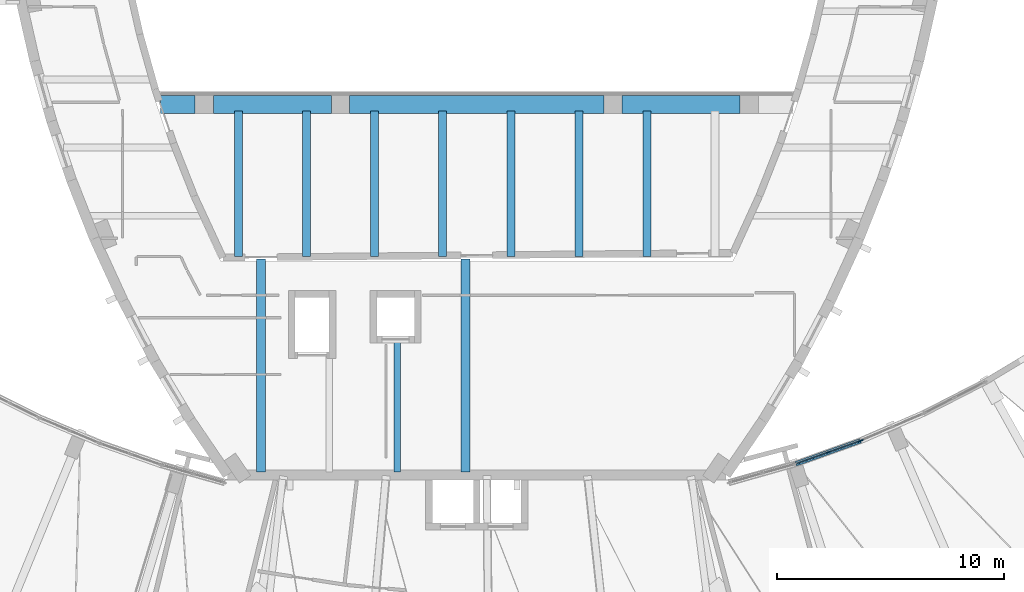
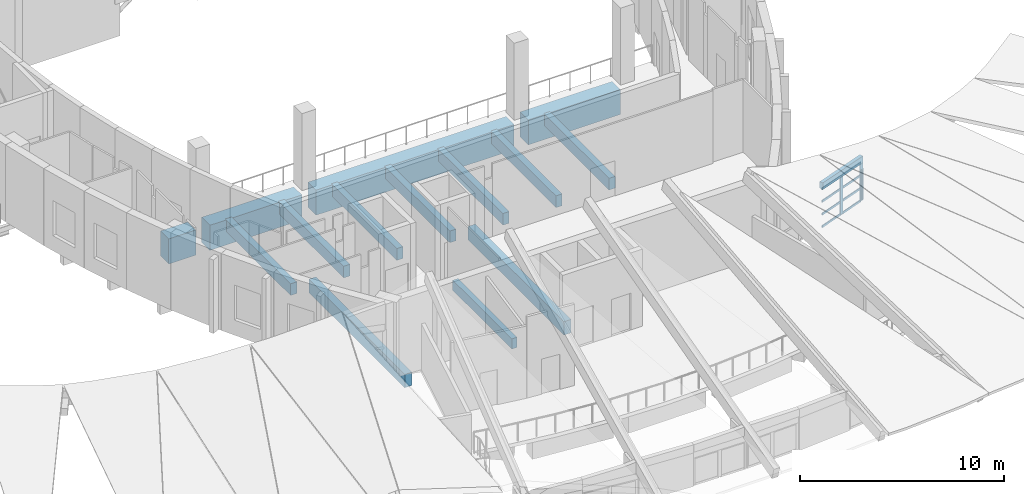
# One storey, part 15 of 56: 15 beams, 11 members, 2 elements without a shape of their own.
"""IFC4 building model written with IfcOpenShell, lengths in metres."""

from ifc_helpers import new_model, si_unit, direction, frame, origin, origin_2d, place, context, subcontext, project, spatial, rectangle, extrude, material, material_profile, profile_set, type_object, element, aggregate, save


model = new_model("IFC4")

# Units and contexts
model_context = context("Model", 3, precision=1e-05, world=origin(), true_north=direction((0.0, 1.0)))
body_context = subcontext(model_context, "Body", "Model", "MODEL_VIEW")
ifc_project = project(units=[si_unit("LENGTHUNIT", "METRE"), si_unit("AREAUNIT", "SQUARE_METRE"), si_unit("VOLUMEUNIT", "CUBIC_METRE"), si_unit("PLANEANGLEUNIT", "RADIAN"), si_unit("MASSUNIT", "GRAM", prefix="KILO")], contexts=[model_context])

# Site, building, storey
site_placement = place(None, origin())
site = spatial("IfcSite", under=ifc_project, at=site_placement, CompositionType="ELEMENT")
building_placement = place(site_placement, origin())
building = spatial("IfcBuilding", under=site, at=building_placement, Name="Tide Square Theatres", CompositionType="ELEMENT")
storey_placement = place(building_placement, frame((0.0, 0.0, 10.199951171875)))
storey = spatial("IfcBuildingStorey", under=building, at=storey_placement, Name="L02", CompositionType="ELEMENT", Elevation=10.199951171875)

# Curtain wall, member
ifc_material_1 = material(Name="Aluminium 6063-T5", Category="aluminium")
curtain_wall_type_1 = type_object("IfcCurtainWallType", Name="Stick system curtain wall 1800 high", PredefinedType="USERDEFINED", material=ifc_material_1)
curtain_wall_1_placement = place(storey_placement, origin())
curtain_wall_1 = element("IfcCurtainWall", 1, at=curtain_wall_1_placement, inside=storey, type_object=curtain_wall_type_1, Name="Foyer inner curtain wall", ObjectType="STICK SYSTEM", PredefinedType="USERDEFINED")
ifc_material_2 = material(Name="Aluminium 6063-T5", Category="aluminium")
ifc_material_profile_1 = material_profile(ifc_material_2, rectangle(XDim=0.050048828125, YDim=0.199951171875, at=origin_2d()))
ifc_profile_set_1 = profile_set([ifc_material_profile_1], Name="Aluminium 6063-T5")
member_type_1 = type_object("IfcMemberType", Name="Aluminium mullion 50 x 200", PredefinedType="MULLION", material=ifc_profile_set_1)
member_1_placement = place(storey_placement, frame((100.93017578125, 25.09521484375, 0.0), z_axis=(0.0, 0.0, 1.0), x_axis=(0.396980103276, -0.917827215549, 0.0)))
member_1 = element("IfcMember", 2, at=member_1_placement, type_object=member_type_1, Name="CW-08 mullion 3", PredefinedType="MULLION", context=body_context, shape_type="SweptSolid", body=[
    extrude(rectangle(XDim=0.050048828125, YDim=0.199951171875, at=origin_2d()), origin(), (0.0, 0.0, 1.0), 1.870361328125),
])
aggregate(curtain_wall_1, [member_1])

# Curtain wall, members
ifc_material_3 = material(Name="Aluminium 6063-T5", Category="aluminium")
curtain_wall_type_2 = type_object("IfcCurtainWallType", Name="Stick system curtain wall 2400 high", PredefinedType="USERDEFINED", material=ifc_material_3)
curtain_wall_2_placement = place(storey_placement, origin())
curtain_wall_2 = element("IfcCurtainWall", 3, at=curtain_wall_2_placement, inside=storey, type_object=curtain_wall_type_2, Name="Foyer inner curtain wall", ObjectType="STICK SYSTEM", PredefinedType="USERDEFINED")
member_2_placement = place(storey_placement, frame((100.8837890625, 25.076904296875, 0.0), z_axis=(0.0, 0.0, 1.0), x_axis=(0.335723260146, -0.941960664039, 0.0)))
member_2 = element("IfcMember", 4, at=member_2_placement, type_object=member_type_1, Name="CW-09 mullion 1", PredefinedType="MULLION", context=body_context, shape_type="SweptSolid", body=[
    extrude(rectangle(XDim=0.050048828125, YDim=0.199951171875, at=origin_2d()), origin(), (0.0, 0.0, 1.0), 2.30615234375),
])
member_3_placement = place(storey_placement, frame((99.4765625, 24.575439453125, 0.0), z_axis=(0.0, 0.0, 1.0), x_axis=(0.335723260146, -0.941960664039, 0.0)))
member_3 = element("IfcMember", 5, at=member_3_placement, type_object=member_type_1, Name="CW-09 mullion 2", PredefinedType="MULLION", context=body_context, shape_type="SweptSolid", body=[
    extrude(rectangle(XDim=0.050048828125, YDim=0.199951171875, at=origin_2d()), origin(), (0.0, 0.0, 1.0), 2.30615234375),
])
ifc_material_4 = material(Name="Aluminium 6063-T5", Category="aluminium")
ifc_material_profile_2 = material_profile(ifc_material_4, rectangle(XDim=0.050048828125, YDim=0.125, at=origin_2d()))
ifc_profile_set_2 = profile_set([ifc_material_profile_2], Name="Aluminium 6063-T5")
member_type_2 = type_object("IfcMemberType", Name="Aluminium transom 50 x 125", PredefinedType="USERDEFINED", material=ifc_profile_set_2)
member_4_placement = place(storey_placement, frame((100.860107421875, 25.068603515625, 0.025146484375), z_axis=(-0.941936843853, -0.3357900865, 0.0), x_axis=(0.3357900865, -0.941936843853, 0.0)))
member_4 = element("IfcMember", 6, at=member_4_placement, type_object=member_type_2, Name="CW-09 transom 1.1", ObjectType="TRANSOM", PredefinedType="USERDEFINED", context=body_context, shape_type="SweptSolid", body=[
    extrude(rectangle(XDim=0.050048828125, YDim=0.125, at=origin_2d()), origin(), (0.0, 0.0, 1.0), 1.44384765625),
])
member_5_placement = place(storey_placement, frame((100.860107421875, 25.068603515625, 0.768798828125), z_axis=(-0.941936843853, -0.3357900865, 0.0), x_axis=(0.3357900865, -0.941936843853, 0.0)))
member_5 = element("IfcMember", 7, at=member_5_placement, type_object=member_type_2, Name="CW-09 transom 1.2", ObjectType="TRANSOM", PredefinedType="USERDEFINED", context=body_context, shape_type="SweptSolid", body=[
    extrude(rectangle(XDim=0.050048828125, YDim=0.125, at=origin_2d()), origin(), (0.0, 0.0, 1.0), 1.44384765625),
])
member_6_placement = place(storey_placement, frame((100.860107421875, 25.068603515625, 1.537353515625), z_axis=(-0.941936843853, -0.3357900865, 0.0), x_axis=(0.3357900865, -0.941936843853, 0.0)))
member_6 = element("IfcMember", 8, at=member_6_placement, type_object=member_type_2, Name="CW-09 transom 1.3", ObjectType="TRANSOM", PredefinedType="USERDEFINED", context=body_context, shape_type="SweptSolid", body=[
    extrude(rectangle(XDim=0.050048828125, YDim=0.125, at=origin_2d()), origin(), (0.0, 0.0, 1.0), 1.44384765625),
])
member_7_placement = place(storey_placement, frame((100.860107421875, 25.068603515625, 2.28125), z_axis=(-0.941936843853, -0.3357900865, 0.0), x_axis=(0.3357900865, -0.941936843853, 0.0)))
member_7 = element("IfcMember", 9, at=member_7_placement, type_object=member_type_2, Name="CW-09 transom 1.4", ObjectType="TRANSOM", PredefinedType="USERDEFINED", context=body_context, shape_type="SweptSolid", body=[
    extrude(rectangle(XDim=0.050048828125, YDim=0.125, at=origin_2d()), origin(), (0.0, 0.0, 1.0), 1.44384765625),
])
member_8_placement = place(storey_placement, frame((99.452880859375, 24.567138671875, 0.025146484375), z_axis=(-0.941936843853, -0.3357900865, 0.0), x_axis=(0.3357900865, -0.941936843853, 0.0)))
member_8 = element("IfcMember", 10, at=member_8_placement, type_object=member_type_2, Name="CW-09 transom 2.1", ObjectType="TRANSOM", PredefinedType="USERDEFINED", context=body_context, shape_type="SweptSolid", body=[
    extrude(rectangle(XDim=0.050048828125, YDim=0.125, at=origin_2d()), origin(), (0.0, 0.0, 1.0), 1.44384765625),
])
member_9_placement = place(storey_placement, frame((99.452880859375, 24.567138671875, 0.768798828125), z_axis=(-0.941936843853, -0.3357900865, 0.0), x_axis=(0.3357900865, -0.941936843853, 0.0)))
member_9 = element("IfcMember", 11, at=member_9_placement, type_object=member_type_2, Name="CW-09 transom 2.2", ObjectType="TRANSOM", PredefinedType="USERDEFINED", context=body_context, shape_type="SweptSolid", body=[
    extrude(rectangle(XDim=0.050048828125, YDim=0.125, at=origin_2d()), origin(), (0.0, 0.0, 1.0), 1.44384765625),
])
member_10_placement = place(storey_placement, frame((99.452880859375, 24.567138671875, 1.537353515625), z_axis=(-0.941936843853, -0.3357900865, 0.0), x_axis=(0.3357900865, -0.941936843853, 0.0)))
member_10 = element("IfcMember", 12, at=member_10_placement, type_object=member_type_2, Name="CW-09 transom 2.3", ObjectType="TRANSOM", PredefinedType="USERDEFINED", context=body_context, shape_type="SweptSolid", body=[
    extrude(rectangle(XDim=0.050048828125, YDim=0.125, at=origin_2d()), origin(), (0.0, 0.0, 1.0), 1.44384765625),
])
member_11_placement = place(storey_placement, frame((99.452880859375, 24.567138671875, 2.28125), z_axis=(-0.941936843853, -0.3357900865, 0.0), x_axis=(0.3357900865, -0.941936843853, 0.0)))
member_11 = element("IfcMember", 13, at=member_11_placement, type_object=member_type_2, Name="CW-09 transom 2.4", ObjectType="TRANSOM", PredefinedType="USERDEFINED", context=body_context, shape_type="SweptSolid", body=[
    extrude(rectangle(XDim=0.050048828125, YDim=0.125, at=origin_2d()), origin(), (0.0, 0.0, 1.0), 1.44384765625),
])
aggregate(curtain_wall_2, [member_2, member_3, member_4, member_5, member_6, member_7, member_8, member_9, member_10, member_11])

# Beams
ifc_material_5 = material(Name="Concrete C35", Category="concrete")
ifc_material_profile_3 = material_profile(ifc_material_5, rectangle(XDim=0.199951171875, YDim=0.39990234375, at=origin_2d()))
ifc_profile_set_3 = profile_set([ifc_material_profile_3], Name="Concrete C35")
beam_type_1 = type_object("IfcBeamType", Name="RC beam 200 x 400", PredefinedType="BEAM", material=ifc_profile_set_3)
beam_1_placement = place(storey_placement, frame((100.9072265625, 25.08544921875, 2.506103515625), z_axis=(-0.941947191525, -0.335761058459, 0.0), x_axis=(0.335761058459, -0.941947191525, 0.0)))
element("IfcBeam", 14, at=beam_1_placement, inside=storey, type_object=beam_type_1, Name="Foyer fascia head beam", PredefinedType="BEAM", context=body_context, shape_type="SweptSolid", body=[
    extrude(rectangle(XDim=0.199951171875, YDim=0.39990234375, at=origin_2d()), origin(), (0.0, 0.0, 1.0), 3.037841796875),
])
ifc_material_6 = material(Name="Concrete C35", Category="concrete")
ifc_material_profile_4 = material_profile(ifc_material_6, rectangle(XDim=0.300048828125, YDim=0.60009765625, at=origin_2d()))
ifc_profile_set_4 = profile_set([ifc_material_profile_4], Name="Concrete C35")
beam_type_2 = type_object("IfcBeamType", Name="RC beam 300 x 600", PredefinedType="BEAM", material=ifc_profile_set_4)
beam_2_placement = place(storey_placement, frame((80.5, 23.70751953125, -0.550048828125), z_axis=(0.0, 1.0, 0.0), x_axis=(-1.0, 0.0, 0.0)))
element("IfcBeam", 15, at=beam_2_placement, inside=storey, type_object=beam_type_2, Name="Floor beam", PredefinedType="BEAM", context=body_context, shape_type="SweptSolid", body=[
    extrude(rectangle(XDim=0.300048828125, YDim=0.60009765625, at=origin_2d()), origin(), (0.0, 0.0, 1.0), 5.79248046875),
])
ifc_material_7 = material(Name="Concrete C35", Category="concrete")
ifc_material_profile_5 = material_profile(ifc_material_7, rectangle(XDim=0.35009765625, YDim=0.699951171875, at=origin_2d()))
ifc_profile_set_5 = profile_set([ifc_material_profile_5], Name="Concrete C35")
beam_type_3 = type_object("IfcBeamType", Name="RC beam 350 x 700", PredefinedType="BEAM", material=ifc_profile_set_5)
for number, where, z_axis, x_axis, name in (
    (16, (73.5, 33.199951171875, -0.599853515625), (0.0, 1.0, 0.0), (-1.0, 0.0, 0.0), "Tier raker beam"),
    (17, (76.5, 33.199951171875, -0.599853515625), (0.0, 1.0, 0.0), (-1.0, 0.0, 0.0), "Tier raker beam"),
    (18, (79.5, 33.199951171875, -0.599853515625), (0.0, 1.0, 0.0), (-1.0, 0.0, 0.0), "Tier raker beam"),
    (19, (82.5, 33.199951171875, -0.599853515625), (0.0, 1.0, 0.0), (-1.0, 0.0, 0.0), "Tier raker beam"),
    (20, (85.5, 33.199951171875, -0.599853515625), (0.0, 1.0, 0.0), (-1.0, 0.0, 0.0), "Tier raker beam"),
    (21, (88.5, 33.199951171875, -0.599853515625), (0.0, 1.0, 0.0), (-1.0, 0.0, 0.0), "Tier raker beam"),
    (22, (91.5, 33.199951171875, -0.599853515625), (0.0, 1.0, 0.0), (-1.0, 0.0, 0.0), "Tier raker beam"),
):
    element("IfcBeam", number, at=place(storey_placement, frame(where, z_axis=z_axis, x_axis=x_axis)), inside=storey, type_object=beam_type_3, Name=name, PredefinedType="BEAM", context=body_context, shape_type="SweptSolid", body=[
        extrude(rectangle(XDim=0.35009765625, YDim=0.699951171875, at=origin_2d()), origin(), (0.0, 0.0, 1.0), 6.400146484375),
    ])
ifc_material_8 = material(Name="Concrete C35", Category="concrete")
ifc_material_profile_6 = material_profile(ifc_material_8, rectangle(XDim=0.39990234375, YDim=0.800048828125, at=origin_2d()))
ifc_profile_set_6 = profile_set([ifc_material_profile_6], Name="Concrete C35")
beam_type_4 = type_object("IfcBeamType", Name="RC beam 400 x 800", PredefinedType="BEAM", material=ifc_profile_set_6)
for number, where, z_axis, x_axis, name in (
    (23, (74.5, 23.70751953125, -0.64990234375), (0.0, 1.0, 0.0), (-1.0, 0.0, 0.0), "Floor beam"),
    (24, (83.5, 23.70751953125, -0.64990234375), (0.0, 1.0, 0.0), (-1.0, 0.0, 0.0), "Floor beam"),
):
    element("IfcBeam", number, at=place(storey_placement, frame(where, z_axis=z_axis, x_axis=x_axis)), inside=storey, type_object=beam_type_4, Name=name, PredefinedType="BEAM", context=body_context, shape_type="SweptSolid", body=[
        extrude(rectangle(XDim=0.39990234375, YDim=0.800048828125, at=origin_2d()), origin(), (0.0, 0.0, 1.0), 9.392578125),
    ])
ifc_material_9 = material(Name="Concrete C35", Category="concrete")
ifc_material_profile_7 = material_profile(ifc_material_9, rectangle(XDim=0.800048828125, YDim=1.5, at=origin_2d()))
ifc_profile_set_7 = profile_set([ifc_material_profile_7], Name="Concrete C35")
beam_type_5 = type_object("IfcBeamType", Name="RC circle girder 800 x 1500", PredefinedType="BEAM", material=ifc_profile_set_7)
beam_3_placement = place(storey_placement, frame((70.0732421875, 39.89990234375, -1.0), z_axis=(1.0, 0.0, 0.0), x_axis=(0.0, 1.0, 0.0)))
element("IfcBeam", 25, at=beam_3_placement, inside=storey, type_object=beam_type_5, Name="Circle front girder", PredefinedType="BEAM", context=body_context, shape_type="SweptSolid", body=[
    extrude(rectangle(XDim=0.800048828125, YDim=1.5, at=origin_2d()), origin(), (0.0, 0.0, 1.0), 1.52685546875),
])
beam_4_placement = place(storey_placement, frame((72.39990234375, 39.89990234375, -1.0), z_axis=(1.0, 0.0, 0.0), x_axis=(0.0, 1.0, 0.0)))
element("IfcBeam", 26, at=beam_4_placement, inside=storey, type_object=beam_type_5, Name="Circle front girder", PredefinedType="BEAM", context=body_context, shape_type="SweptSolid", body=[
    extrude(rectangle(XDim=0.800048828125, YDim=1.5, at=origin_2d()), origin(), (0.0, 0.0, 1.0), 5.2001953125),
])
beam_5_placement = place(storey_placement, frame((78.39990234375, 39.89990234375, -1.0), z_axis=(1.0, 0.0, 0.0), x_axis=(0.0, 1.0, 0.0)))
element("IfcBeam", 27, at=beam_5_placement, inside=storey, type_object=beam_type_5, Name="Circle front girder", PredefinedType="BEAM", context=body_context, shape_type="SweptSolid", body=[
    extrude(rectangle(XDim=0.800048828125, YDim=1.5, at=origin_2d()), origin(), (0.0, 0.0, 1.0), 11.2001953125),
])
beam_6_placement = place(storey_placement, frame((90.39990234375, 39.89990234375, -1.0), z_axis=(1.0, 0.0, 0.0), x_axis=(0.0, 1.0, 0.0)))
element("IfcBeam", 28, at=beam_6_placement, inside=storey, type_object=beam_type_5, Name="Circle front girder", PredefinedType="BEAM", context=body_context, shape_type="SweptSolid", body=[
    extrude(rectangle(XDim=0.800048828125, YDim=1.5, at=origin_2d()), origin(), (0.0, 0.0, 1.0), 5.2001953125),
])

save(model, "model.ifc")
